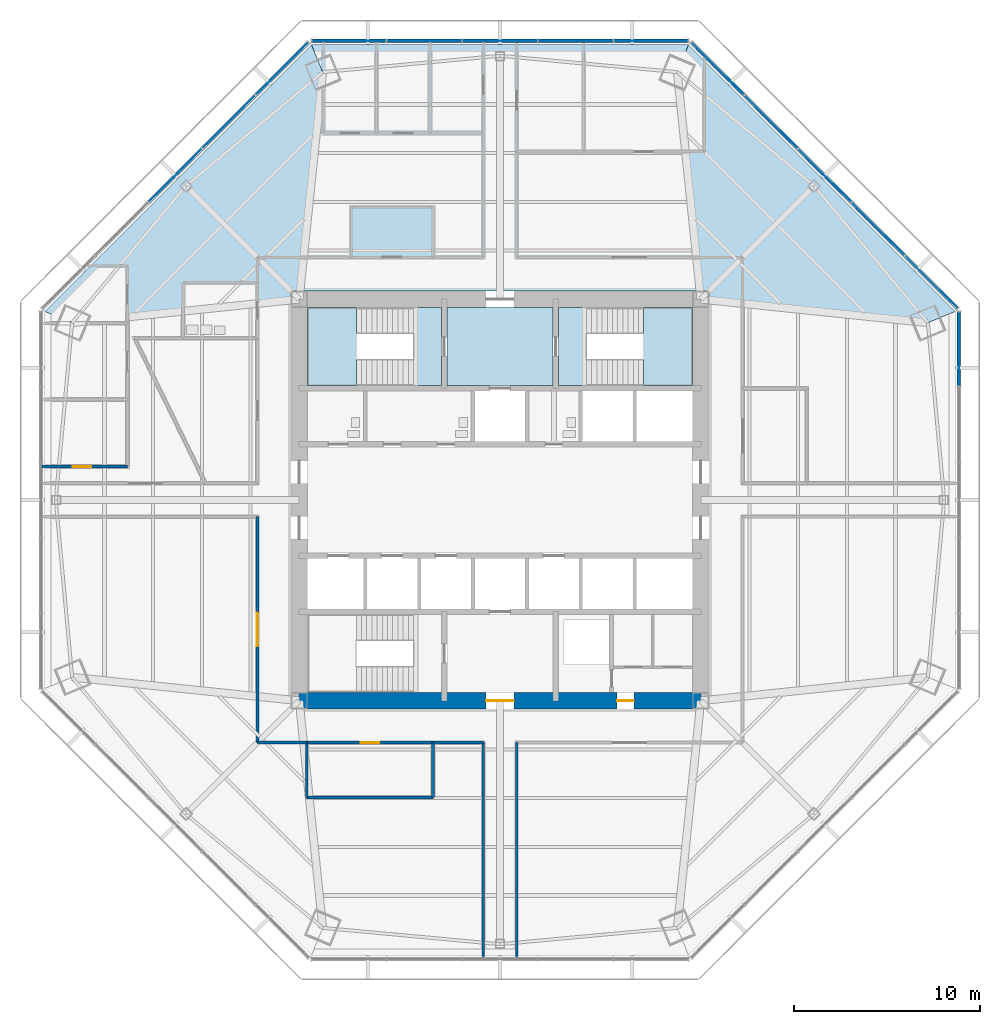
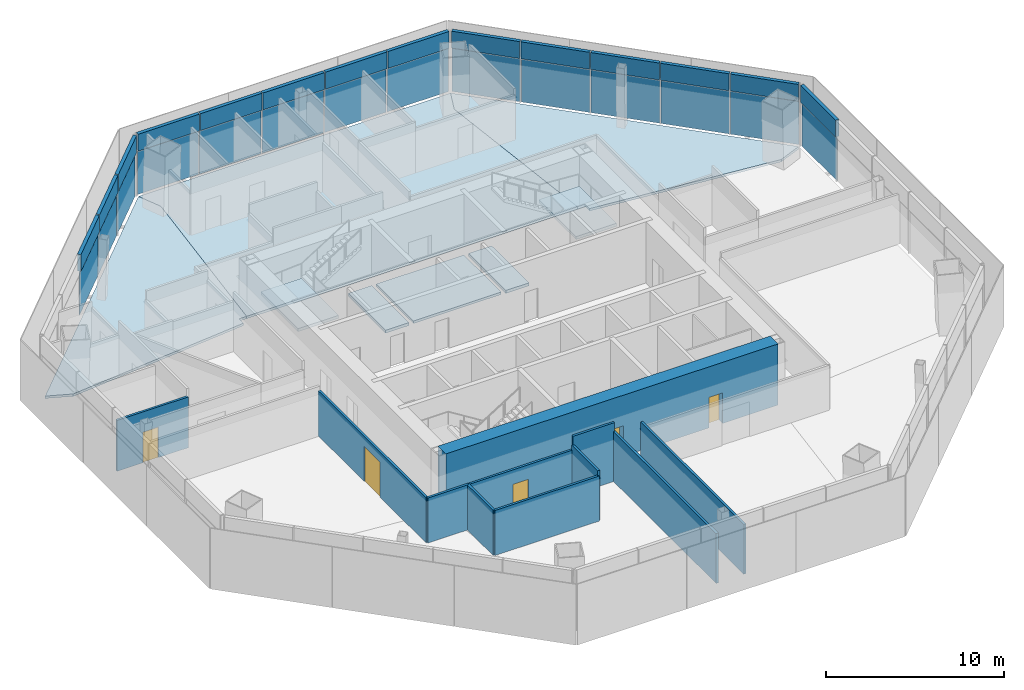
# One storey, part 8 of 14: 28 plates, 11 walls, 8 slabs, 5 doors, 5 openings, 6 elements without a shape of their own.
"""IFC4 building model written with IfcOpenShell, lengths in metres."""

from ifc_helpers import new_model, si_unit, direction, frame, frame_2d, origin, origin_2d, place, context, subcontext, project, spatial, polyline, rectangle, outline, extrude, source, transform, mapped, material, layer, layer_set, type_object, type_shapes, element, fill, aggregate, save


model = new_model("IFC4")

# Units and contexts
model_context = context("Model", 3, precision=1e-05, world=origin(), true_north=direction((0.0, 1.0)))
body_context = subcontext(model_context, "Body", "Model", "MODEL_VIEW")
ifc_project = project(units=[si_unit("LENGTHUNIT", "METRE"), si_unit("AREAUNIT", "SQUARE_METRE"), si_unit("VOLUMEUNIT", "CUBIC_METRE"), si_unit("PLANEANGLEUNIT", "RADIAN"), si_unit("MASSUNIT", "GRAM", prefix="KILO")], contexts=[model_context])

# Site, building, storey
site_placement = place(None, origin())
site = spatial("IfcSite", under=ifc_project, at=site_placement, CompositionType="ELEMENT")
building_placement = place(site_placement, origin())
building = spatial("IfcBuilding", under=site, at=building_placement, Name="Mashrafa Tower", CompositionType="ELEMENT")
storey_placement = place(building_placement, frame((0.0, 0.0, 117.60009765625)))
storey = spatial("IfcBuildingStorey", under=building, at=storey_placement, Name="L26", CompositionType="ELEMENT", Elevation=117.60009765625)

# Slabs
ifc_material_1 = material(Name="Concrete C35/45", Category="concrete")
ifc_layer_1 = layer(ifc_material_1, 0.1650390625)
ifc_layer_set_1 = layer_set([ifc_layer_1], Name="Floor slab 165")
slab_type_1 = type_object("IfcSlabType", Name="Floor slab 165", PredefinedType="FLOOR", material=ifc_layer_set_1)
slab_1_placement = place(storey_placement, frame((0.0, 0.0, -0.1650390625)))
element("IfcSlab", 1, at=slab_1_placement, inside=storey, type_object=slab_type_1, Name="Floor slab L26 north-east bay", PredefinedType="FLOOR", context=body_context, shape_type="SweptSolid", body=[
    extrude(outline(polyline([(24.488037109375, 10.143310546875), (23.014404296875, 9.532958984375), (11.25, 10.75341796875), (11.25, 11.25), (10.75341796875, 11.25), (9.532958984375, 23.014404296875), (10.143310546875, 24.488037109375), (24.488037109375, 10.143310546875)])), origin(), (0.0, 0.0, 1.0), 0.1650390625),
])
slab_2_placement = place(storey_placement, frame((0.0, 0.0, -0.1650390625)))
element("IfcSlab", 2, at=slab_2_placement, inside=storey, type_object=slab_type_1, Name="Floor slab L26 north bay", PredefinedType="FLOOR", context=body_context, shape_type="SweptSolid", body=[
    extrude(outline(polyline([(-10.143310546875, 24.488037109375), (10.143310546875, 24.488037109375), (10.143310546875, 24.488037109375), (9.532958984375, 23.014404296875), (10.75341796875, 11.25), (-10.75341796875, 11.25), (-9.532958984375, 23.014404296875), (-10.143310546875, 24.488037109375), (-10.143310546875, 24.488037109375)])), origin(), (0.0, 0.0, 1.0), 0.1650390625),
])
slab_3_placement = place(storey_placement, frame((0.0, 0.0, -0.1650390625)))
element("IfcSlab", 3, at=slab_3_placement, inside=storey, type_object=slab_type_1, Name="Floor slab L26 north-west bay", PredefinedType="FLOOR", context=body_context, shape_type="SweptSolid", body=[
    extrude(outline(polyline([(-10.143310546875, 24.488037109375), (-9.532958984375, 23.014404296875), (-10.75341796875, 11.25), (-11.25, 11.25), (-11.25, 10.75341796875), (-23.014404296875, 9.532958984375), (-24.488037109375, 10.143310546875), (-10.143310546875, 24.488037109375)])), origin(), (0.0, 0.0, 1.0), 0.1650390625),
])
slab_4_placement = place(storey_placement, frame((0.0, 0.0, -0.1650390625)))
element("IfcSlab", 4, at=slab_4_placement, inside=storey, type_object=slab_type_1, Name="Core floor fire-fighting lobby north L26", PredefinedType="FLOOR", context=body_context, shape_type="SweptSolid", body=[
    extrude(outline(polyline([(-2.85009765625, 10.35009765625), (2.85009765625, 10.35009765625), (2.85009765625, 6.14990234375), (-2.85009765625, 6.14990234375), (-2.85009765625, 10.35009765625)])), origin(), (0.0, 0.0, 1.0), 0.1650390625),
])

# Stair, slabs
ifc_material_2 = material(Name="Exit stair 1400")
stair_type = type_object("IfcStairType", Name="Exit stair 1400", PredefinedType="HALF_TURN_STAIR", material=ifc_material_2)
stair_1_placement = place(storey_placement, origin())
stair_1 = element("IfcStair", 5, at=stair_1_placement, inside=storey, type_object=stair_type, Name="Stair S1 L26", PredefinedType="HALF_TURN_STAIR")
ifc_material_3 = material(Name="Concrete C32/40", Category="concrete")
ifc_layer_2 = layer(ifc_material_3, 0.199951171875)
ifc_layer_set_2 = layer_set([ifc_layer_2], Name="Stair landing 200")
slab_type_2 = type_object("IfcSlabType", Name="Stair landing 200", PredefinedType="LANDING", material=ifc_layer_set_2)
slab_5_placement = place(storey_placement, frame((0.0, 0.0, -0.2001953125)))
slab_5 = element("IfcSlab", 6, at=slab_5_placement, type_object=slab_type_2, Name="S1 landing 1", PredefinedType="LANDING", context=body_context, shape_type="SweptSolid", body=[
    extrude(outline(polyline([(-4.659912109375, 6.14990234375), (-3.14990234375, 6.14990234375), (-3.14990234375, 10.35009765625), (-4.659912109375, 10.35009765625), (-4.659912109375, 6.14990234375)])), origin(), (0.0, 0.0, 1.0), 0.2001953125),
])
slab_6_placement = place(storey_placement, frame((0.0, 0.0, 1.89990234375)))
slab_6 = element("IfcSlab", 7, at=slab_6_placement, type_object=slab_type_2, Name="S1 landing 2", PredefinedType="LANDING", context=body_context, shape_type="SweptSolid", body=[
    extrude(outline(polyline([(-10.35009765625, 6.14990234375), (-7.719970703125, 6.14990234375), (-7.719970703125, 10.35009765625), (-10.35009765625, 10.35009765625), (-10.35009765625, 6.14990234375)])), origin(), (0.0, 0.0, 1.0), 0.199951171875),
])
aggregate(stair_1, [slab_5, slab_6])

stair_2_placement = place(storey_placement, origin())
stair_2 = element("IfcStair", 8, at=stair_2_placement, inside=storey, type_object=stair_type, Name="Stair S2 L26", PredefinedType="HALF_TURN_STAIR")
slab_7_placement = place(storey_placement, frame((0.0, 0.0, -0.2001953125)))
slab_7 = element("IfcSlab", 9, at=slab_7_placement, type_object=slab_type_2, Name="S2 landing 1", PredefinedType="LANDING", context=body_context, shape_type="SweptSolid", body=[
    extrude(outline(polyline([(3.14990234375, 6.14990234375), (4.659912109375, 6.14990234375), (4.659912109375, 10.35009765625), (3.14990234375, 10.35009765625), (3.14990234375, 6.14990234375)])), origin(), (0.0, 0.0, 1.0), 0.2001953125),
])
slab_8_placement = place(storey_placement, frame((0.0, 0.0, 1.89990234375)))
slab_8 = element("IfcSlab", 10, at=slab_8_placement, type_object=slab_type_2, Name="S2 landing 2", PredefinedType="LANDING", context=body_context, shape_type="SweptSolid", body=[
    extrude(outline(polyline([(7.719970703125, 6.14990234375), (10.35009765625, 6.14990234375), (10.35009765625, 10.35009765625), (7.719970703125, 10.35009765625), (7.719970703125, 6.14990234375)])), origin(), (0.0, 0.0, 1.0), 0.199951171875),
])
aggregate(stair_2, [slab_7, slab_8])

# Curtain wall, plate
ifc_material_4 = material(Name="Unitised aluminium curtain wall", Category="aluminium")
curtain_wall_type = type_object("IfcCurtainWallType", Name="Office curtain wall, zone 2 CW-B 225 deep", PredefinedType="NOTDEFINED", material=ifc_material_4)
curtain_wall_1_placement = place(storey_placement, origin())
curtain_wall_1 = element("IfcCurtainWall", 11, at=curtain_wall_1_placement, inside=storey, type_object=curtain_wall_type, Name="Office curtain wall, zone 2 L26 east", PredefinedType="NOTDEFINED")
ifc_material_5 = material(Name="Insulated double glazing, low-e, neutral", Category="glass")
ifc_layer_3 = layer(ifc_material_5, 0.028076171875)
ifc_layer_set_3 = layer_set([ifc_layer_3], Name="Vision panel CW-B 28")
plate_type_1 = type_object("IfcPlateType", Name="Vision panel CW-B 28", PredefinedType="CURTAIN_PANEL", material=ifc_layer_set_3)
shared_shape_1 = source(origin(), body_context, "Body", "SweptSolid", [
    extrude(rectangle(XDim=3.97021484375, YDim=0.028076171875, at=origin_2d()), origin(), (0.0, 0.0, 1.0), 2.9599609375),
])
plate_1_placement = place(storey_placement, frame((24.68798828125, 8.119384765625, 0.0), z_axis=(0.0, 0.0, 1.0), x_axis=(0.0, 1.0, 0.0)))
plate_1 = element("IfcPlate", 12, at=plate_1_placement, type_object=plate_type_1, Name="CW-B vision panel 5", PredefinedType="CURTAIN_PANEL", context=body_context, shape_type="MappedRepresentation", body=[
    mapped(shared_shape_1, transform((0.0, 0.0, 0.0))),
])

# Curtain wall, plates
curtain_wall_2_placement = place(storey_placement, origin())
curtain_wall_2 = element("IfcCurtainWall", 13, at=curtain_wall_2_placement, inside=storey, type_object=curtain_wall_type, Name="Office curtain wall, zone 2 L26 north-east", PredefinedType="NOTDEFINED")
plate_2_placement = place(storey_placement, frame((23.1982421875, 11.7158203125, 0.0), z_axis=(0.0, 0.0, 1.0), x_axis=(-0.707106781187, 0.707106781187, 0.0)))
plate_2 = element("IfcPlate", 14, at=plate_2_placement, type_object=plate_type_1, Name="CW-B vision panel 1", PredefinedType="CURTAIN_PANEL", context=body_context, shape_type="MappedRepresentation", body=[
    mapped(shared_shape_1, transform((0.0, 0.0, 0.0))),
])
plate_3_placement = place(storey_placement, frame((11.7158203125, 23.1982421875, 0.0), z_axis=(0.0, 0.0, 1.0), x_axis=(-0.707106781187, 0.707106781187, 0.0)))
plate_3 = element("IfcPlate", 15, at=plate_3_placement, type_object=plate_type_1, Name="CW-B vision panel 5", PredefinedType="CURTAIN_PANEL", context=body_context, shape_type="MappedRepresentation", body=[
    mapped(shared_shape_1, transform((0.0, 0.0, 0.0))),
])

curtain_wall_3_placement = place(storey_placement, origin())
curtain_wall_3 = element("IfcCurtainWall", 16, at=curtain_wall_3_placement, inside=storey, type_object=curtain_wall_type, Name="Office curtain wall, zone 2 L26 north", PredefinedType="NOTDEFINED")
plate_4_placement = place(storey_placement, frame((8.119384765625, 24.68798828125, 0.0), z_axis=(0.0, 0.0, 1.0), x_axis=(-1.0, 0.0, 0.0)))
plate_4 = element("IfcPlate", 17, at=plate_4_placement, type_object=plate_type_1, Name="CW-B vision panel 1", PredefinedType="CURTAIN_PANEL", context=body_context, shape_type="MappedRepresentation", body=[
    mapped(shared_shape_1, transform((0.0, 0.0, 0.0))),
])
plate_5_placement = place(storey_placement, frame((-8.119384765625, 24.68798828125, 0.0), z_axis=(0.0, 0.0, 1.0), x_axis=(-1.0, 0.0, 0.0)))
plate_5 = element("IfcPlate", 18, at=plate_5_placement, type_object=plate_type_1, Name="CW-B vision panel 5", PredefinedType="CURTAIN_PANEL", context=body_context, shape_type="MappedRepresentation", body=[
    mapped(shared_shape_1, transform((0.0, 0.0, 0.0))),
])

# Curtain wall, plate
curtain_wall_4_placement = place(storey_placement, origin())
curtain_wall_4 = element("IfcCurtainWall", 19, at=curtain_wall_4_placement, inside=storey, type_object=curtain_wall_type, Name="Office curtain wall, zone 2 L26 north-west", PredefinedType="NOTDEFINED")
plate_6_placement = place(storey_placement, frame((-11.7158203125, 23.1982421875, 0.0), z_axis=(0.0, 0.0, 1.0), x_axis=(-0.707106781187, -0.707106781187, 0.0)))
plate_6 = element("IfcPlate", 20, at=plate_6_placement, type_object=plate_type_1, Name="CW-B vision panel 1", PredefinedType="CURTAIN_PANEL", context=body_context, shape_type="MappedRepresentation", body=[
    mapped(shared_shape_1, transform((0.0, 0.0, 0.0))),
])

# Plate
ifc_material_6 = material(Name="Insulated aluminium spandrel panel", Category="aluminium")
ifc_layer_4 = layer(ifc_material_6, 0.219970703125)
ifc_layer_set_4 = layer_set([ifc_layer_4], Name="Spandrel panel CW-B 220")
plate_type_2 = type_object("IfcPlateType", Name="Spandrel panel CW-B 220", PredefinedType="CURTAIN_PANEL", material=ifc_layer_set_4)
shared_shape_2 = source(origin(), body_context, "Body", "SweptSolid", [
    extrude(rectangle(XDim=3.97021484375, YDim=0.219970703125, at=origin_2d()), origin(), (0.0, 0.0, 1.0), 1.159912109375),
])
plate_7_placement = place(storey_placement, frame((24.68798828125, 8.119384765625, 3.0400390625), z_axis=(0.0, 0.0, 1.0), x_axis=(0.0, 1.0, 0.0)))
plate_7 = element("IfcPlate", 21, at=plate_7_placement, type_object=plate_type_2, Name="CW-B spandrel panel 5", PredefinedType="CURTAIN_PANEL", context=body_context, shape_type="MappedRepresentation", body=[
    mapped(shared_shape_2, transform((0.0, 0.0, 0.0))),
])

aggregate(curtain_wall_1, [plate_1, plate_7])

plate_8_placement = place(storey_placement, frame((23.1982421875, 11.7158203125, 3.0400390625), z_axis=(0.0, 0.0, 1.0), x_axis=(-0.707106781187, 0.707106781187, 0.0)))
plate_8 = element("IfcPlate", 22, at=plate_8_placement, type_object=plate_type_2, Name="CW-B spandrel panel 1", PredefinedType="CURTAIN_PANEL", context=body_context, shape_type="MappedRepresentation", body=[
    mapped(shared_shape_2, transform((0.0, 0.0, 0.0))),
])

plate_9_placement = place(storey_placement, frame((11.7158203125, 23.1982421875, 3.0400390625), z_axis=(0.0, 0.0, 1.0), x_axis=(-0.707106781187, 0.707106781187, 0.0)))
plate_9 = element("IfcPlate", 23, at=plate_9_placement, type_object=plate_type_2, Name="CW-B spandrel panel 5", PredefinedType="CURTAIN_PANEL", context=body_context, shape_type="MappedRepresentation", body=[
    mapped(shared_shape_2, transform((0.0, 0.0, 0.0))),
])

plate_10_placement = place(storey_placement, frame((8.119384765625, 24.68798828125, 3.0400390625), z_axis=(0.0, 0.0, 1.0), x_axis=(-1.0, 0.0, 0.0)))
plate_10 = element("IfcPlate", 24, at=plate_10_placement, type_object=plate_type_2, Name="CW-B spandrel panel 1", PredefinedType="CURTAIN_PANEL", context=body_context, shape_type="MappedRepresentation", body=[
    mapped(shared_shape_2, transform((0.0, 0.0, 0.0))),
])

plate_11_placement = place(storey_placement, frame((-8.119384765625, 24.68798828125, 3.0400390625), z_axis=(0.0, 0.0, 1.0), x_axis=(-1.0, 0.0, 0.0)))
plate_11 = element("IfcPlate", 25, at=plate_11_placement, type_object=plate_type_2, Name="CW-B spandrel panel 5", PredefinedType="CURTAIN_PANEL", context=body_context, shape_type="MappedRepresentation", body=[
    mapped(shared_shape_2, transform((0.0, 0.0, 0.0))),
])

plate_12_placement = place(storey_placement, frame((-11.7158203125, 23.1982421875, 3.0400390625), z_axis=(0.0, 0.0, 1.0), x_axis=(-0.707106781187, -0.707106781187, 0.0)))
plate_12 = element("IfcPlate", 26, at=plate_12_placement, type_object=plate_type_2, Name="CW-B spandrel panel 1", PredefinedType="CURTAIN_PANEL", context=body_context, shape_type="MappedRepresentation", body=[
    mapped(shared_shape_2, transform((0.0, 0.0, 0.0))),
])

shared_shape_3 = source(origin(), body_context, "Body", "SweptSolid", [
    extrude(rectangle(XDim=4.002685546875, YDim=0.028076171875, at=origin_2d()), origin(), (0.0, 0.0, 1.0), 2.9599609375),
])
type_shapes(plate_type_1, [shared_shape_1, shared_shape_3])
plate_13_placement = place(storey_placement, frame((20.33349609375, 14.58056640625, 0.0), z_axis=(0.0, 0.0, 1.0), x_axis=(-0.707106781187, 0.707106781187, 0.0)))
plate_13 = element("IfcPlate", 27, at=plate_13_placement, type_object=plate_type_1, Name="CW-B vision panel 2", PredefinedType="CURTAIN_PANEL", context=body_context, shape_type="MappedRepresentation", body=[
    mapped(shared_shape_3, transform((0.0, 0.0, 0.0))),
])

plate_14_placement = place(storey_placement, frame((17.45703125, 17.45703125, 0.0), z_axis=(0.0, 0.0, 1.0), x_axis=(-0.707106781187, 0.707106781187, 0.0)))
plate_14 = element("IfcPlate", 28, at=plate_14_placement, type_object=plate_type_1, Name="CW-B vision panel 3", PredefinedType="CURTAIN_PANEL", context=body_context, shape_type="MappedRepresentation", body=[
    mapped(shared_shape_3, transform((0.0, 0.0, 0.0))),
])

plate_15_placement = place(storey_placement, frame((14.58056640625, 20.33349609375, 0.0), z_axis=(0.0, 0.0, 1.0), x_axis=(-0.707106781187, 0.707106781187, 0.0)))
plate_15 = element("IfcPlate", 29, at=plate_15_placement, type_object=plate_type_1, Name="CW-B vision panel 4", PredefinedType="CURTAIN_PANEL", context=body_context, shape_type="MappedRepresentation", body=[
    mapped(shared_shape_3, transform((0.0, 0.0, 0.0))),
])

plate_16_placement = place(storey_placement, frame((4.06787109375, 24.68798828125, 0.0), z_axis=(0.0, 0.0, 1.0), x_axis=(-1.0, 0.0, 0.0)))
plate_16 = element("IfcPlate", 30, at=plate_16_placement, type_object=plate_type_1, Name="CW-B vision panel 2", PredefinedType="CURTAIN_PANEL", context=body_context, shape_type="MappedRepresentation", body=[
    mapped(shared_shape_3, transform((0.0, 0.0, 0.0))),
])

plate_17_placement = place(storey_placement, frame((0.0, 24.68798828125, 0.0), z_axis=(0.0, 0.0, 1.0), x_axis=(-1.0, 0.0, 0.0)))
plate_17 = element("IfcPlate", 31, at=plate_17_placement, type_object=plate_type_1, Name="CW-B vision panel 3", PredefinedType="CURTAIN_PANEL", context=body_context, shape_type="MappedRepresentation", body=[
    mapped(shared_shape_3, transform((0.0, 0.0, 0.0))),
])

plate_18_placement = place(storey_placement, frame((-4.06787109375, 24.68798828125, 0.0), z_axis=(0.0, 0.0, 1.0), x_axis=(-1.0, 0.0, 0.0)))
plate_18 = element("IfcPlate", 32, at=plate_18_placement, type_object=plate_type_1, Name="CW-B vision panel 4", PredefinedType="CURTAIN_PANEL", context=body_context, shape_type="MappedRepresentation", body=[
    mapped(shared_shape_3, transform((0.0, 0.0, 0.0))),
])

plate_19_placement = place(storey_placement, frame((-14.58056640625, 20.33349609375, 0.0), z_axis=(0.0, 0.0, 1.0), x_axis=(-0.707106781187, -0.707106781187, 0.0)))
plate_19 = element("IfcPlate", 33, at=plate_19_placement, type_object=plate_type_1, Name="CW-B vision panel 2", PredefinedType="CURTAIN_PANEL", context=body_context, shape_type="MappedRepresentation", body=[
    mapped(shared_shape_3, transform((0.0, 0.0, 0.0))),
])

plate_20_placement = place(storey_placement, frame((-17.45703125, 17.45703125, 0.0), z_axis=(0.0, 0.0, 1.0), x_axis=(-0.707106781187, -0.707106781187, 0.0)))
plate_20 = element("IfcPlate", 34, at=plate_20_placement, type_object=plate_type_1, Name="CW-B vision panel 3", PredefinedType="CURTAIN_PANEL", context=body_context, shape_type="MappedRepresentation", body=[
    mapped(shared_shape_3, transform((0.0, 0.0, 0.0))),
])

shared_shape_4 = source(origin(), body_context, "Body", "SweptSolid", [
    extrude(rectangle(XDim=4.002685546875, YDim=0.219970703125, at=origin_2d()), origin(), (0.0, 0.0, 1.0), 1.159912109375),
])
type_shapes(plate_type_2, [shared_shape_2, shared_shape_4])
plate_21_placement = place(storey_placement, frame((20.33349609375, 14.58056640625, 3.0400390625), z_axis=(0.0, 0.0, 1.0), x_axis=(-0.707106781187, 0.707106781187, 0.0)))
plate_21 = element("IfcPlate", 35, at=plate_21_placement, type_object=plate_type_2, Name="CW-B spandrel panel 2", PredefinedType="CURTAIN_PANEL", context=body_context, shape_type="MappedRepresentation", body=[
    mapped(shared_shape_4, transform((0.0, 0.0, 0.0))),
])

plate_22_placement = place(storey_placement, frame((17.45703125, 17.45703125, 3.0400390625), z_axis=(0.0, 0.0, 1.0), x_axis=(-0.707106781187, 0.707106781187, 0.0)))
plate_22 = element("IfcPlate", 36, at=plate_22_placement, type_object=plate_type_2, Name="CW-B spandrel panel 3", PredefinedType="CURTAIN_PANEL", context=body_context, shape_type="MappedRepresentation", body=[
    mapped(shared_shape_4, transform((0.0, 0.0, 0.0))),
])

plate_23_placement = place(storey_placement, frame((14.58056640625, 20.33349609375, 3.0400390625), z_axis=(0.0, 0.0, 1.0), x_axis=(-0.707106781187, 0.707106781187, 0.0)))
plate_23 = element("IfcPlate", 37, at=plate_23_placement, type_object=plate_type_2, Name="CW-B spandrel panel 4", PredefinedType="CURTAIN_PANEL", context=body_context, shape_type="MappedRepresentation", body=[
    mapped(shared_shape_4, transform((0.0, 0.0, 0.0))),
])

aggregate(curtain_wall_2, [plate_2, plate_8, plate_13, plate_21, plate_14, plate_22, plate_15, plate_23, plate_3, plate_9])

plate_24_placement = place(storey_placement, frame((4.06787109375, 24.68798828125, 3.0400390625), z_axis=(0.0, 0.0, 1.0), x_axis=(-1.0, 0.0, 0.0)))
plate_24 = element("IfcPlate", 38, at=plate_24_placement, type_object=plate_type_2, Name="CW-B spandrel panel 2", PredefinedType="CURTAIN_PANEL", context=body_context, shape_type="MappedRepresentation", body=[
    mapped(shared_shape_4, transform((0.0, 0.0, 0.0))),
])

plate_25_placement = place(storey_placement, frame((0.0, 24.68798828125, 3.0400390625), z_axis=(0.0, 0.0, 1.0), x_axis=(-1.0, 0.0, 0.0)))
plate_25 = element("IfcPlate", 39, at=plate_25_placement, type_object=plate_type_2, Name="CW-B spandrel panel 3", PredefinedType="CURTAIN_PANEL", context=body_context, shape_type="MappedRepresentation", body=[
    mapped(shared_shape_4, transform((0.0, 0.0, 0.0))),
])

plate_26_placement = place(storey_placement, frame((-4.06787109375, 24.68798828125, 3.0400390625), z_axis=(0.0, 0.0, 1.0), x_axis=(-1.0, 0.0, 0.0)))
plate_26 = element("IfcPlate", 40, at=plate_26_placement, type_object=plate_type_2, Name="CW-B spandrel panel 4", PredefinedType="CURTAIN_PANEL", context=body_context, shape_type="MappedRepresentation", body=[
    mapped(shared_shape_4, transform((0.0, 0.0, 0.0))),
])

aggregate(curtain_wall_3, [plate_4, plate_10, plate_16, plate_24, plate_17, plate_25, plate_18, plate_26, plate_5, plate_11])

plate_27_placement = place(storey_placement, frame((-14.58056640625, 20.33349609375, 3.0400390625), z_axis=(0.0, 0.0, 1.0), x_axis=(-0.707106781187, -0.707106781187, 0.0)))
plate_27 = element("IfcPlate", 41, at=plate_27_placement, type_object=plate_type_2, Name="CW-B spandrel panel 2", PredefinedType="CURTAIN_PANEL", context=body_context, shape_type="MappedRepresentation", body=[
    mapped(shared_shape_4, transform((0.0, 0.0, 0.0))),
])

plate_28_placement = place(storey_placement, frame((-17.45703125, 17.45703125, 3.0400390625), z_axis=(0.0, 0.0, 1.0), x_axis=(-0.707106781187, -0.707106781187, 0.0)))
plate_28 = element("IfcPlate", 42, at=plate_28_placement, type_object=plate_type_2, Name="CW-B spandrel panel 3", PredefinedType="CURTAIN_PANEL", context=body_context, shape_type="MappedRepresentation", body=[
    mapped(shared_shape_4, transform((0.0, 0.0, 0.0))),
])

aggregate(curtain_wall_4, [plate_6, plate_12, plate_19, plate_27, plate_20, plate_28])

# Wall, openings, doors
ifc_material_7 = material(Name="Concrete C60/75", Category="concrete")
ifc_layer_5 = layer(ifc_material_7, 0.89990234375)
ifc_layer_set_5 = layer_set([ifc_layer_5], Name="Core wall 900 C60/75")
wall_type_1 = type_object("IfcWallType", Name="Core wall 900 C60/75", PredefinedType="SOLIDWALL", material=ifc_layer_set_5)
wall_1_placement = place(storey_placement, frame((-10.800048828125, -10.800048828125, 0.0), z_axis=(0.0, 0.0, 1.0), x_axis=(1.0, 0.0, 0.0)))
wall_1 = element("IfcWall", 43, at=wall_1_placement, inside=storey, type_object=wall_type_1, Name="Core wall CW-S L26", PredefinedType="SOLIDWALL", context=body_context, shape_type="SweptSolid", body=[
    extrude(rectangle(XDim=21.60009765625, YDim=0.89990234375, at=frame_2d((10.800048828125, 0.0))), origin(), (0.0, 0.0, 1.0), 4.199951171875),
])
opening_1_placement = place(wall_1_placement, frame((10.050048828125, 0.0, 0.0)))
opening_1 = element("IfcOpeningElement", 44, at=opening_1_placement, cuts=wall_1, Name="Opening 26.023", PredefinedType="OPENING", context=body_context, shape_type="SweptSolid", body=[
    extrude(rectangle(XDim=1.5, YDim=2.10009765625, at=frame_2d((0.75, 1.050048828125))), frame((0.0, 0.4599609375, 0.0), z_axis=(0.0, -1.0, 0.0), x_axis=(1.0, 0.0, 0.0)), (0.0, 0.0, 1.0), 0.919921875),
])
opening_2_placement = place(wall_1_placement, frame((17.10009765625, 0.0, 0.0)))
opening_2 = element("IfcOpeningElement", 45, at=opening_2_placement, cuts=wall_1, Name="Opening 26.027", PredefinedType="OPENING", context=body_context, shape_type="SweptSolid", body=[
    extrude(rectangle(XDim=0.89990234375, YDim=2.10009765625, at=frame_2d((0.449951171875, 1.050048828125))), frame((0.0, 0.4599609375, 0.0), z_axis=(0.0, -1.0, 0.0), x_axis=(1.0, 0.0, 0.0)), (0.0, 0.0, 1.0), 0.919921875),
])
ifc_material_8 = material(Name="Steel door", Category="steel")
door_type_1 = type_object("IfcDoorType", Name="Lobby door pair 1500 x 2100 90 min", OperationType="DOUBLE_DOOR_SINGLE_SWING", PredefinedType="DOOR", material=ifc_material_8)
door_1_placement = place(opening_1_placement, origin())
door_1 = element("IfcDoor", 46, at=door_1_placement, inside=storey, type_object=door_type_1, Name="Fire-fighting lobby F2 door L26", OperationType="DOUBLE_DOOR_SINGLE_SWING", OverallHeight=2.10009765625, OverallWidth=1.5, PredefinedType="DOOR", context=body_context, shape_type="SweptSolid", body=[
    extrude(rectangle(XDim=1.5, YDim=2.10009765625, at=frame_2d((0.75, 1.050048828125))), frame((0.0, 0.02490234375, 0.0), z_axis=(0.0, -1.0, 0.0), x_axis=(1.0, 0.0, 0.0)), (0.0, 0.0, 1.0), 0.050048828125),
])
fill(opening_1, door_1)
ifc_material_9 = material(Name="Steel door", Category="steel")
door_type_2 = type_object("IfcDoorType", Name="Service door 900 x 2100 90 min", OperationType="USERDEFINED", PredefinedType="DOOR", material=ifc_material_9)
door_2_placement = place(opening_2_placement, frame((0.89990234375, 0.0, 0.0), z_axis=(0.0, 0.0, 1.0), x_axis=(-1.0, 0.0, 0.0)))
door_2 = element("IfcDoor", 47, at=door_2_placement, inside=storey, type_object=door_type_2, Name="Services Lobby L26 door", OperationType="SINGLE_SWING_LEFT", OverallHeight=2.10009765625, OverallWidth=0.89990234375, PredefinedType="DOOR", context=body_context, shape_type="SweptSolid", body=[
    extrude(rectangle(XDim=0.89990234375, YDim=2.10009765625, at=frame_2d((0.449951171875, 1.050048828125))), frame((0.0, 0.02490234375, 0.0), z_axis=(0.0, -1.0, 0.0), x_axis=(1.0, 0.0, 0.0)), (0.0, 0.0, 1.0), 0.050048828125),
])
fill(opening_2, door_2)

# Wall, opening, door
ifc_material_10 = material(Name="Gypsum board on steel studs", Category="steel")
ifc_layer_6 = layer(ifc_material_10, 0.14990234375)
ifc_layer_set_6 = layer_set([ifc_layer_6], Name="Corridor partition 150 1 hr")
wall_type_2 = type_object("IfcWallType", Name="Corridor partition 150 1 hr", PredefinedType="PARTITIONING", material=ifc_layer_set_6)
wall_2_placement = place(storey_placement, frame((-10.40087890625, -13.050048828125, 0.0), z_axis=(0.0, 0.0, 1.0), x_axis=(1.0, 0.0, 0.0)))
wall_2 = element("IfcWall", 48, at=wall_2_placement, inside=storey, type_object=wall_type_2, Name="Corridor wall L26-007", PredefinedType="PARTITIONING", context=body_context, shape_type="SweptSolid", body=[
    extrude(rectangle(XDim=6.8017578125, YDim=0.14990234375, at=frame_2d((3.40087890625, 0.0))), origin(), (0.0, 0.0, 1.0), 3.097900390625),
])
opening_3_placement = place(wall_2_placement, frame((2.90087890625, 0.0, 0.0)))
opening_3 = element("IfcOpeningElement", 49, at=opening_3_placement, cuts=wall_2, Name="Opening 26.006", PredefinedType="OPENING", context=body_context, shape_type="SweptSolid", body=[
    extrude(rectangle(XDim=1.0, YDim=2.10009765625, at=frame_2d((0.5, 1.050048828125))), frame((0.0, 0.0849609375, 0.0), z_axis=(0.0, -1.0, 0.0), x_axis=(1.0, 0.0, 0.0)), (0.0, 0.0, 1.0), 0.169921875),
])
ifc_material_11 = material(Name="Timber door", Category="wood")
door_type_3 = type_object("IfcDoorType", Name="Door 1000 x 2100", OperationType="USERDEFINED", PredefinedType="DOOR", material=ifc_material_11)
door_3_placement = place(opening_3_placement, frame((1.0, 0.0, 0.0), z_axis=(0.0, 0.0, 1.0), x_axis=(-1.0, 0.0, 0.0)))
door_3 = element("IfcDoor", 50, at=door_3_placement, inside=storey, type_object=door_type_3, Name="Records Office 26 door", OperationType="SINGLE_SWING_RIGHT", OverallHeight=2.10009765625, OverallWidth=1.0, PredefinedType="DOOR", context=body_context, shape_type="SweptSolid", body=[
    extrude(rectangle(XDim=1.0, YDim=2.10009765625, at=frame_2d((0.5, 1.050048828125))), frame((0.0, 0.02490234375, 0.0), z_axis=(0.0, -1.0, 0.0), x_axis=(1.0, 0.0, 0.0)), (0.0, 0.0, 1.0), 0.050048828125),
])
fill(opening_3, door_3)

wall_3_placement = place(storey_placement, frame((-13.050048828125, -0.89990234375, 0.0), z_axis=(0.0, 0.0, 1.0), x_axis=(0.0, -1.0, 0.0)))
wall_3 = element("IfcWall", 51, at=wall_3_placement, inside=storey, type_object=wall_type_2, Name="Corridor wall L26-020", PredefinedType="PARTITIONING", context=body_context, shape_type="SweptSolid", body=[
    extrude(rectangle(XDim=12.150146484375, YDim=0.14990234375, at=frame_2d((6.0751953125, 0.0))), origin(), (0.0, 0.0, 1.0), 3.097900390625),
])
opening_4_placement = place(wall_3_placement, frame((5.175048828125, 0.0, 0.0)))
opening_4 = element("IfcOpeningElement", 52, at=opening_4_placement, cuts=wall_3, Name="Opening 26.016", PredefinedType="OPENING", context=body_context, shape_type="SweptSolid", body=[
    extrude(rectangle(XDim=1.800048828125, YDim=2.39990234375, at=frame_2d((0.89990234375, 1.199951171875))), frame((0.0, 0.0849609375, 0.0), z_axis=(0.0, -1.0, 0.0), x_axis=(1.0, 0.0, 0.0)), (0.0, 0.0, 1.0), 0.169921875),
])
ifc_material_12 = material(Name="Timber door", Category="wood")
door_type_4 = type_object("IfcDoorType", Name="Door pair 1800 x 2400", OperationType="DOUBLE_DOOR_SINGLE_SWING", PredefinedType="DOOR", material=ifc_material_12)
door_4_placement = place(opening_4_placement, frame((1.800048828125, 0.0, 0.0), z_axis=(0.0, 0.0, 1.0), x_axis=(-1.0, 0.0, 0.0)))
door_4 = element("IfcDoor", 53, at=door_4_placement, inside=storey, type_object=door_type_4, Name="Licensing Office 26-SW door", OperationType="DOUBLE_DOOR_SINGLE_SWING", OverallHeight=2.39990234375, OverallWidth=1.800048828125, PredefinedType="DOOR", context=body_context, shape_type="SweptSolid", body=[
    extrude(rectangle(XDim=1.800048828125, YDim=2.39990234375, at=frame_2d((0.89990234375, 1.199951171875))), frame((0.0, 0.02490234375, 0.0), z_axis=(0.0, -1.0, 0.0), x_axis=(1.0, 0.0, 0.0)), (0.0, 0.0, 1.0), 0.050048828125),
])
fill(opening_4, door_4)

# Walls
wall_4_placement = place(storey_placement, frame((-13.050048828125, -13.050048828125, 0.0), z_axis=(0.0, 0.0, 1.0), x_axis=(1.0, 0.0, 0.0)))
element("IfcWall", 54, at=wall_4_placement, inside=storey, type_object=wall_type_2, Name="Corridor wall L26-021", PredefinedType="PARTITIONING", context=body_context, shape_type="SweptSolid", body=[
    extrude(rectangle(XDim=2.651123046875, YDim=0.14990234375, at=frame_2d((1.32568359375, 0.0))), origin(), (0.0, 0.0, 1.0), 3.097900390625),
])
wall_5_placement = place(storey_placement, frame((-3.60107421875, -13.050048828125, 0.0), z_axis=(0.0, 0.0, 1.0), x_axis=(1.0, 0.0, 0.0)))
element("IfcWall", 55, at=wall_5_placement, inside=storey, type_object=wall_type_2, Name="Corridor wall L26-022", PredefinedType="PARTITIONING", context=body_context, shape_type="SweptSolid", body=[
    extrude(rectangle(XDim=2.701171875, YDim=0.14990234375, at=frame_2d((1.3505859375, 0.0))), origin(), (0.0, 0.0, 1.0), 4.034912109375),
])
for number, where, z_axis, x_axis, name in (
    (56, (-0.89990234375, -13.050048828125, 0.0), (0.0, 0.0, 1.0), (0.0, -1.0, 0.0), "Corridor wall L26-023"),
    (57, (0.89990234375, -24.669921875, 0.0), (0.0, 0.0, 1.0), (0.0, 1.0, 0.0), "Corridor wall L26-024"),
):
    element("IfcWall", number, at=place(storey_placement, frame(where, z_axis=z_axis, x_axis=x_axis)), inside=storey, type_object=wall_type_2, Name=name, PredefinedType="PARTITIONING", context=body_context, shape_type="SweptSolid", body=[
        extrude(rectangle(XDim=11.619873046875, YDim=0.14990234375, at=frame_2d((5.81005859375, 0.0))), origin(), (0.0, 0.0, 1.0), 3.425537109375),
    ])
ifc_material_13 = material(Name="Gypsum board on steel studs", Category="steel")
ifc_layer_7 = layer(ifc_material_13, 0.14990234375)
ifc_layer_set_7 = layer_set([ifc_layer_7], Name="Partition 150")
wall_type_3 = type_object("IfcWallType", Name="Partition 150", PredefinedType="PARTITIONING", material=ifc_layer_set_7)
wall_6_placement = place(storey_placement, frame((-10.39990234375, -13.050048828125, 0.0), z_axis=(0.0, 0.0, 1.0), x_axis=(0.0, -1.0, 0.0)))
element("IfcWall", 58, at=wall_6_placement, inside=storey, type_object=wall_type_3, Name="Partition wall L26-039", PredefinedType="PARTITIONING", context=body_context, shape_type="SweptSolid", body=[
    extrude(rectangle(XDim=2.949951171875, YDim=0.14990234375, at=frame_2d((1.47509765625, 0.0))), origin(), (0.0, 0.0, 1.0), 3.097900390625),
])
wall_7_placement = place(storey_placement, frame((-10.39990234375, -16.0, 0.0), z_axis=(0.0, 0.0, 1.0), x_axis=(1.0, 0.0, 0.0)))
element("IfcWall", 59, at=wall_7_placement, inside=storey, type_object=wall_type_3, Name="Partition wall L26-040", PredefinedType="PARTITIONING", context=body_context, shape_type="SweptSolid", body=[
    extrude(rectangle(XDim=6.7998046875, YDim=0.14990234375, at=frame_2d((3.39990234375, 0.0))), origin(), (0.0, 0.0, 1.0), 3.097900390625),
])
wall_8_placement = place(storey_placement, frame((-3.60009765625, -16.0, 0.0), z_axis=(0.0, 0.0, 1.0), x_axis=(0.0, 1.0, 0.0)))
element("IfcWall", 60, at=wall_8_placement, inside=storey, type_object=wall_type_3, Name="Partition wall L26-041", PredefinedType="PARTITIONING", context=body_context, shape_type="SweptSolid", body=[
    extrude(rectangle(XDim=2.949951171875, YDim=0.14990234375, at=frame_2d((1.47509765625, 0.0))), origin(), (0.0, 0.0, 1.0), 3.425537109375),
])

# Wall, opening, door
wall_9_placement = place(storey_placement, frame((-24.672119140625, 1.800048828125, 0.0), z_axis=(0.0, 0.0, 1.0), x_axis=(1.0, 0.0, 0.0)))
wall_9 = element("IfcWall", 61, at=wall_9_placement, inside=storey, type_object=wall_type_3, Name="Partition wall L26-051", PredefinedType="PARTITIONING", context=body_context, shape_type="SweptSolid", body=[
    extrude(rectangle(XDim=4.634033203125, YDim=0.14990234375, at=frame_2d((2.31689453125, 0.0))), origin(), (0.0, 0.0, 1.0), 3.491455078125),
])
opening_5_placement = place(wall_9_placement, frame((1.698974609375, 0.0, 0.0)))
opening_5 = element("IfcOpeningElement", 62, at=opening_5_placement, cuts=wall_9, Name="Opening 26.010", PredefinedType="OPENING", context=body_context, shape_type="SweptSolid", body=[
    extrude(rectangle(XDim=1.0, YDim=2.10009765625, at=frame_2d((0.5, 1.050048828125))), frame((0.0, 0.0849609375, 0.0), z_axis=(0.0, -1.0, 0.0), x_axis=(1.0, 0.0, 0.0)), (0.0, 0.0, 1.0), 0.169921875),
])
door_5_placement = place(opening_5_placement, origin())
door_5 = element("IfcDoor", 63, at=door_5_placement, inside=storey, type_object=door_type_3, Name="Case Officer's Office 26-NW-3 door", OperationType="SINGLE_SWING_LEFT", OverallHeight=2.10009765625, OverallWidth=1.0, PredefinedType="DOOR", context=body_context, shape_type="SweptSolid", body=[
    extrude(rectangle(XDim=1.0, YDim=2.10009765625, at=frame_2d((0.5, 1.050048828125))), frame((0.0, 0.02490234375, 0.0), z_axis=(0.0, -1.0, 0.0), x_axis=(1.0, 0.0, 0.0)), (0.0, 0.0, 1.0), 0.050048828125),
])
fill(opening_5, door_5)

save(model, "model.ifc")
